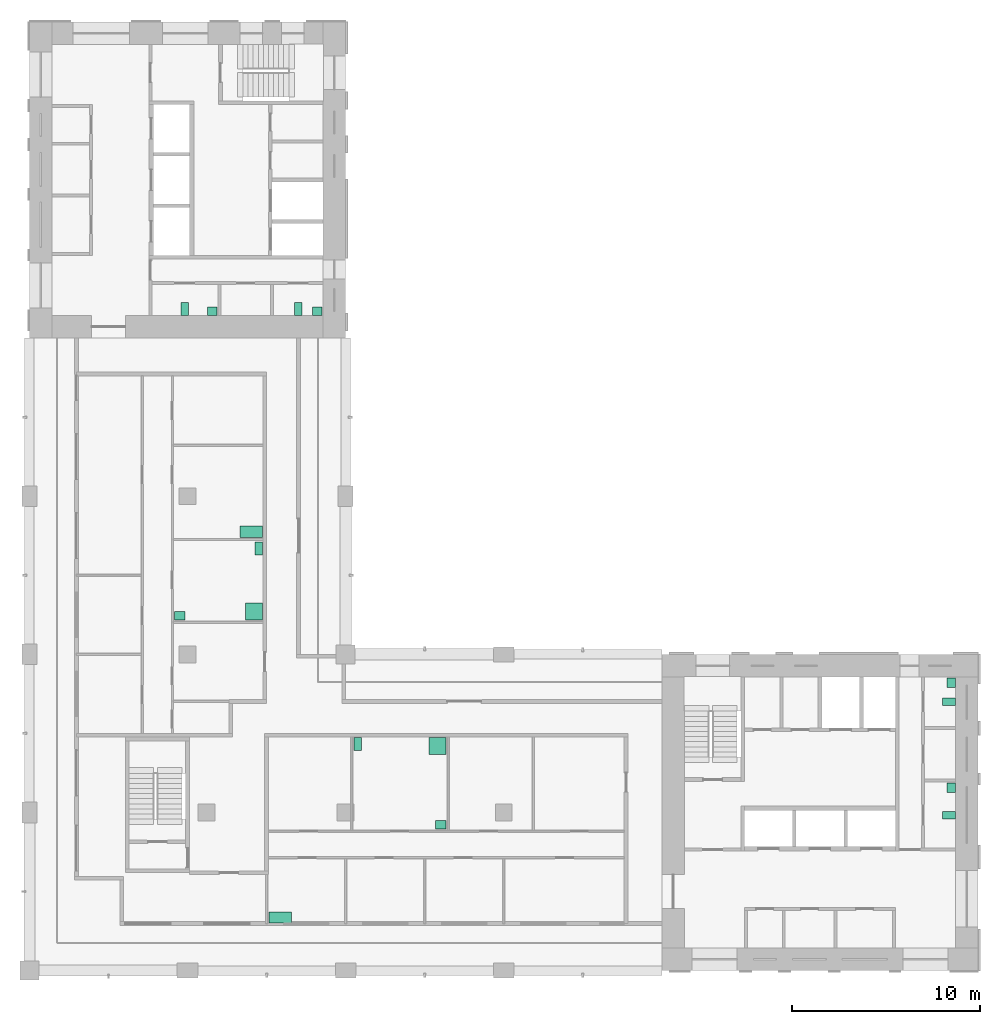
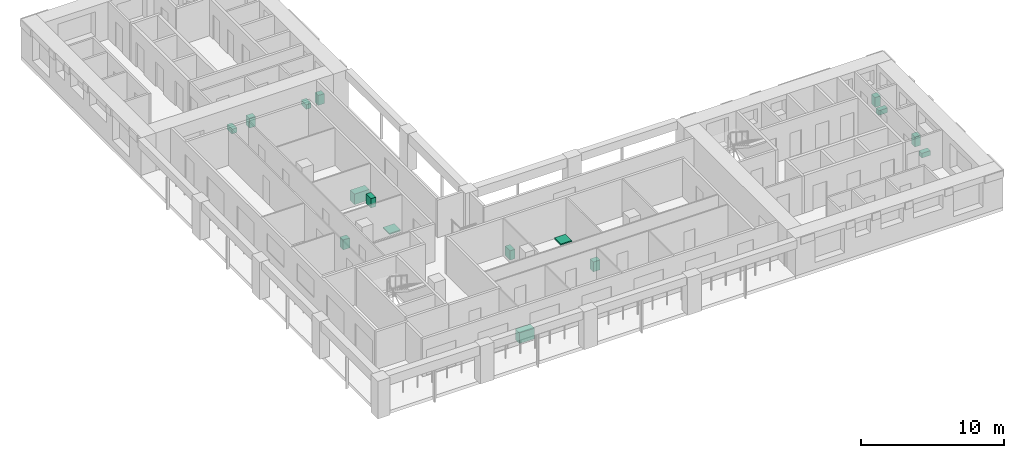
# One storey, part 9 of 9: 16 sanitary terminals.
"""IFC4 building model written with IfcOpenShell, lengths in metres."""

from ifc_helpers import new_model, si_unit, direction, frame, origin, origin_2d, place, context, subcontext, project, spatial, rectangle, extrude, material, element, save


model = new_model("IFC4")

# Units and contexts
model_context = context("Model", 3, precision=1e-05, world=origin(), true_north=direction((0.0, 1.0)))
body_context = subcontext(model_context, "Body", "Model", "MODEL_VIEW")
ifc_project = project(units=[si_unit("LENGTHUNIT", "METRE"), si_unit("AREAUNIT", "SQUARE_METRE"), si_unit("VOLUMEUNIT", "CUBIC_METRE"), si_unit("PLANEANGLEUNIT", "RADIAN"), si_unit("MASSUNIT", "GRAM", prefix="KILO")], contexts=[model_context])

# Site, building, storey
site_placement = place(None, origin())
site = spatial("IfcSite", under=ifc_project, at=site_placement, CompositionType="ELEMENT")
building_placement = place(site_placement, origin())
building = spatial("IfcBuilding", under=site, at=building_placement, Name="Vermilion Gate Residences", CompositionType="ELEMENT")
storey_placement = place(building_placement, frame((0.0, 0.0, 224.699951171875)))
storey = spatial("IfcBuildingStorey", under=building, at=storey_placement, Name="L58", CompositionType="ELEMENT", Elevation=224.699951171875)

# Sanitary terminals
ifc_material_1 = material(Name="Vitreous china")
sanitary_terminal_1_placement = place(storey_placement, frame((57.25, 16.659912109375, 0.0), z_axis=(0.0, 0.0, 1.0), x_axis=(1.0, 0.0, 0.0)))
element("IfcSanitaryTerminal", 1, at=sanitary_terminal_1_placement, inside=storey, material=ifc_material_1, Name="Toilet pan A58", PredefinedType="TOILETPAN", context=body_context, shape_type="SweptSolid", body=[
    extrude(rectangle(XDim=0.699951171875, YDim=0.39990234375, at=origin_2d()), origin(), (0.0, 0.0, 1.0), 0.39990234375),
])
sanitary_terminal_2_placement = place(storey_placement, frame((57.375, 18.1201171875, 0.0), z_axis=(0.0, 0.0, 1.0), x_axis=(1.0, 0.0, 0.0)))
element("IfcSanitaryTerminal", 2, at=sanitary_terminal_2_placement, inside=storey, material=ifc_material_1, Name="Washbasin A58", PredefinedType="WASHHANDBASIN", context=body_context, shape_type="SweptSolid", body=[
    extrude(rectangle(XDim=0.449951171875, YDim=0.5, at=origin_2d()), origin(), (0.0, 0.0, 1.0), 0.85009765625),
])
sanitary_terminal_3_placement = place(storey_placement, frame((57.25, 22.679931640625, 0.0), z_axis=(0.0, 0.0, 1.0), x_axis=(1.0, 0.0, 0.0)))
element("IfcSanitaryTerminal", 3, at=sanitary_terminal_3_placement, inside=storey, material=ifc_material_1, Name="Toilet pan A58", PredefinedType="TOILETPAN", context=body_context, shape_type="SweptSolid", body=[
    extrude(rectangle(XDim=0.699951171875, YDim=0.39990234375, at=origin_2d()), origin(), (0.0, 0.0, 1.0), 0.39990234375),
])
sanitary_terminal_4_placement = place(storey_placement, frame((57.375, 23.699951171875, 0.0), z_axis=(0.0, 0.0, 1.0), x_axis=(1.0, 0.0, 0.0)))
element("IfcSanitaryTerminal", 4, at=sanitary_terminal_4_placement, inside=storey, material=ifc_material_1, Name="Washbasin A58", PredefinedType="WASHHANDBASIN", context=body_context, shape_type="SweptSolid", body=[
    extrude(rectangle(XDim=0.449951171875, YDim=0.5, at=origin_2d()), origin(), (0.0, 0.0, 1.0), 0.85009765625),
])
sanitary_terminal_5_placement = place(storey_placement, frame((16.659912109375, 43.550048828125, 0.0), z_axis=(0.0, 0.0, 1.0), x_axis=(1.0, 0.0, 0.0)))
element("IfcSanitaryTerminal", 5, at=sanitary_terminal_5_placement, inside=storey, material=ifc_material_1, Name="Toilet pan B58", PredefinedType="TOILETPAN", context=body_context, shape_type="SweptSolid", body=[
    extrude(rectangle(XDim=0.39990234375, YDim=0.699951171875, at=origin_2d()), origin(), (0.0, 0.0, 1.0), 0.39990234375),
])
sanitary_terminal_6_placement = place(storey_placement, frame((18.1201171875, 43.425048828125, 0.0), z_axis=(0.0, 0.0, 1.0), x_axis=(1.0, 0.0, 0.0)))
element("IfcSanitaryTerminal", 6, at=sanitary_terminal_6_placement, inside=storey, material=ifc_material_1, Name="Washbasin B58", PredefinedType="WASHHANDBASIN", context=body_context, shape_type="SweptSolid", body=[
    extrude(rectangle(XDim=0.5, YDim=0.449951171875, at=origin_2d()), origin(), (0.0, 0.0, 1.0), 0.85009765625),
])
sanitary_terminal_7_placement = place(storey_placement, frame((22.679931640625, 43.550048828125, 0.0), z_axis=(0.0, 0.0, 1.0), x_axis=(1.0, 0.0, 0.0)))
element("IfcSanitaryTerminal", 7, at=sanitary_terminal_7_placement, inside=storey, material=ifc_material_1, Name="Toilet pan B58", PredefinedType="TOILETPAN", context=body_context, shape_type="SweptSolid", body=[
    extrude(rectangle(XDim=0.39990234375, YDim=0.699951171875, at=origin_2d()), origin(), (0.0, 0.0, 1.0), 0.39990234375),
])
sanitary_terminal_8_placement = place(storey_placement, frame((23.699951171875, 43.425048828125, 0.0), z_axis=(0.0, 0.0, 1.0), x_axis=(1.0, 0.0, 0.0)))
element("IfcSanitaryTerminal", 8, at=sanitary_terminal_8_placement, inside=storey, material=ifc_material_1, Name="Washbasin B58", PredefinedType="WASHHANDBASIN", context=body_context, shape_type="SweptSolid", body=[
    extrude(rectangle(XDim=0.5, YDim=0.449951171875, at=origin_2d()), origin(), (0.0, 0.0, 1.0), 0.85009765625),
])
ifc_material_2 = material(Name="Stainless steel", Category="steel")
sanitary_terminal_9_placement = place(storey_placement, frame((21.719970703125, 11.219970703125, 0.0), z_axis=(0.0, 0.0, 1.0), x_axis=(1.0, 0.0, 0.0)))
element("IfcSanitaryTerminal", 9, at=sanitary_terminal_9_placement, inside=storey, material=ifc_material_2, Name="Kitchen sink", PredefinedType="SINK", context=body_context, shape_type="SweptSolid", body=[
    extrude(rectangle(XDim=1.199951171875, YDim=0.60009765625, at=origin_2d()), origin(), (0.0, 0.0, 1.0), 0.89990234375),
])
sanitary_terminal_10_placement = place(storey_placement, frame((30.080078125, 20.330078125, 0.0), z_axis=(0.0, 0.0, 1.0), x_axis=(1.0, 0.0, 0.0)))
element("IfcSanitaryTerminal", 10, at=sanitary_terminal_10_placement, inside=storey, material=ifc_material_1, Name="Shower tray", PredefinedType="SHOWER", context=body_context, shape_type="SweptSolid", body=[
    extrude(rectangle(XDim=0.89990234375, YDim=0.89990234375, at=origin_2d()), origin(), (0.0, 0.0, 1.0), 0.10009765625),
])
sanitary_terminal_11_placement = place(storey_placement, frame((25.844970703125, 20.429931640625, 0.0), z_axis=(0.0, 0.0, 1.0), x_axis=(1.0, 0.0, 0.0)))
element("IfcSanitaryTerminal", 11, at=sanitary_terminal_11_placement, inside=storey, material=ifc_material_1, Name="Toilet", PredefinedType="TOILETPAN", context=body_context, shape_type="SweptSolid", body=[
    extrude(rectangle(XDim=0.39990234375, YDim=0.699951171875, at=origin_2d()), origin(), (0.0, 0.0, 1.0), 0.800048828125),
])
sanitary_terminal_12_placement = place(storey_placement, frame((30.2548828125, 16.14501953125, 0.0), z_axis=(0.0, 0.0, 1.0), x_axis=(1.0, 0.0, 0.0)))
element("IfcSanitaryTerminal", 12, at=sanitary_terminal_12_placement, inside=storey, material=ifc_material_1, Name="Wash basin", PredefinedType="WASHHANDBASIN", context=body_context, shape_type="SweptSolid", body=[
    extrude(rectangle(XDim=0.550048828125, YDim=0.449951171875, at=origin_2d()), origin(), (0.0, 0.0, 1.0), 0.85009765625),
])
sanitary_terminal_13_placement = place(storey_placement, frame((20.330078125, 27.469970703125, 0.0), z_axis=(0.0, 0.0, 1.0), x_axis=(1.0, 0.0, 0.0)))
element("IfcSanitaryTerminal", 13, at=sanitary_terminal_13_placement, inside=storey, material=ifc_material_1, Name="Shower tray", PredefinedType="SHOWER", context=body_context, shape_type="SweptSolid", body=[
    extrude(rectangle(XDim=0.89990234375, YDim=0.89990234375, at=origin_2d()), origin(), (0.0, 0.0, 1.0), 0.10009765625),
])
sanitary_terminal_14_placement = place(storey_placement, frame((20.580078125, 30.830078125, 0.0), z_axis=(0.0, 0.0, 1.0), x_axis=(1.0, 0.0, 0.0)))
element("IfcSanitaryTerminal", 14, at=sanitary_terminal_14_placement, inside=storey, material=ifc_material_1, Name="Toilet", PredefinedType="TOILETPAN", context=body_context, shape_type="SweptSolid", body=[
    extrude(rectangle(XDim=0.39990234375, YDim=0.699951171875, at=origin_2d()), origin(), (0.0, 0.0, 1.0), 0.800048828125),
])
sanitary_terminal_15_placement = place(storey_placement, frame((16.39501953125, 27.2451171875, 0.0), z_axis=(0.0, 0.0, 1.0), x_axis=(1.0, 0.0, 0.0)))
element("IfcSanitaryTerminal", 15, at=sanitary_terminal_15_placement, inside=storey, material=ifc_material_1, Name="Wash basin", PredefinedType="WASHHANDBASIN", context=body_context, shape_type="SweptSolid", body=[
    extrude(rectangle(XDim=0.550048828125, YDim=0.449951171875, at=origin_2d()), origin(), (0.0, 0.0, 1.0), 0.85009765625),
])
sanitary_terminal_16_placement = place(storey_placement, frame((20.179931640625, 31.719970703125, 0.0), z_axis=(0.0, 0.0, 1.0), x_axis=(1.0, 0.0, 0.0)))
element("IfcSanitaryTerminal", 16, at=sanitary_terminal_16_placement, inside=storey, material=ifc_material_2, Name="Kitchen sink", PredefinedType="SINK", context=body_context, shape_type="SweptSolid", body=[
    extrude(rectangle(XDim=1.199951171875, YDim=0.60009765625, at=origin_2d()), origin(), (0.0, 0.0, 1.0), 0.89990234375),
])

save(model, "model.ifc")
